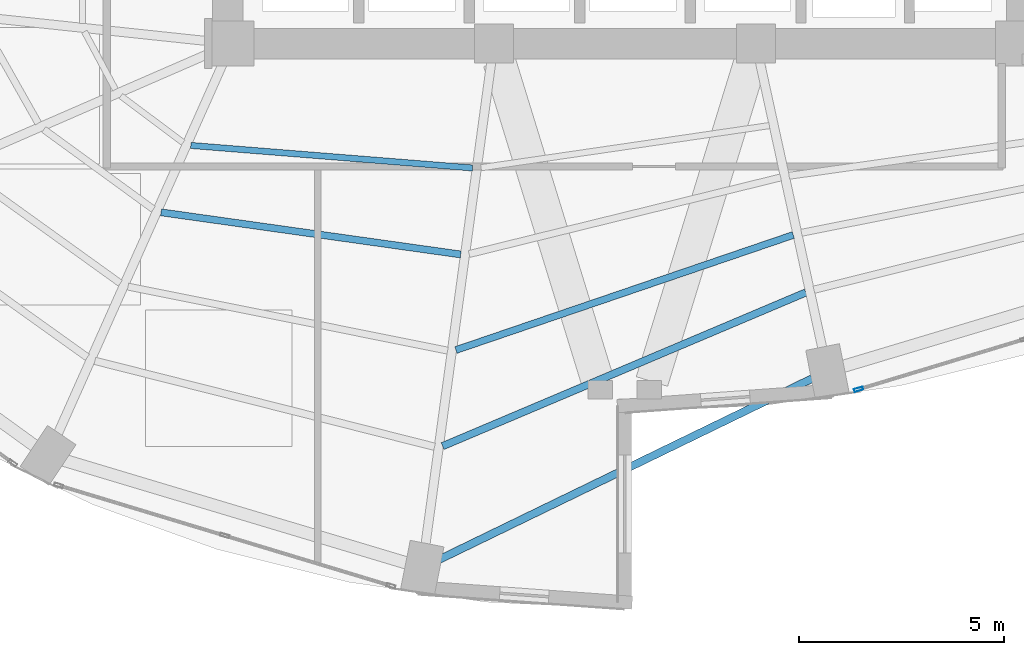
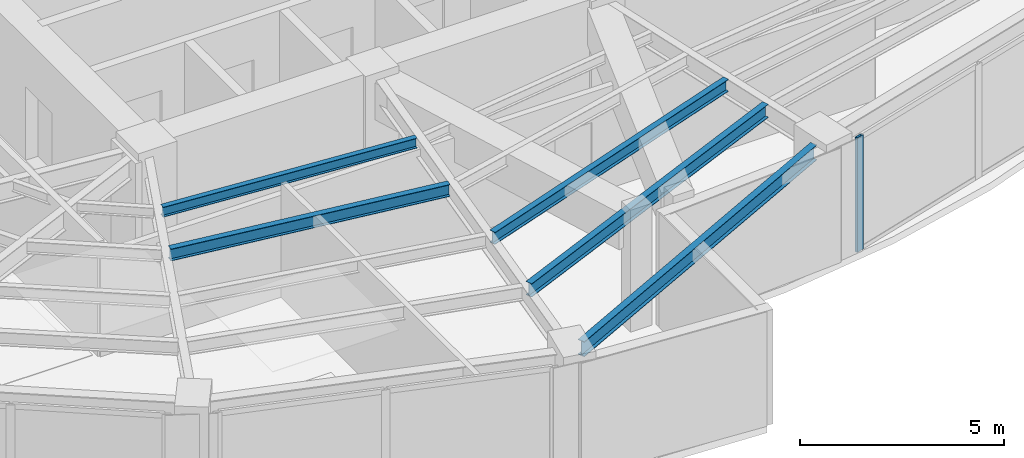
# One storey, part 6 of 23: 5 beams, 1 member, 1 element without a shape of its own.
"""IFC4 building model written with IfcOpenShell, lengths in metres."""

from ifc_helpers import new_model, si_unit, direction, frame, origin, origin_2d, place, context, subcontext, project, spatial, hollow_rectangle, i_section, extrude, material, layer, layer_set, material_profile, profile_set, type_object, element, aggregate, save


model = new_model("IFC4")

# Units and contexts
model_context = context("Model", 3, precision=1e-05, world=origin(), true_north=direction((0.0, 1.0)))
body_context = subcontext(model_context, "Body", "Model", "MODEL_VIEW")
ifc_project = project(units=[si_unit("LENGTHUNIT", "METRE"), si_unit("AREAUNIT", "SQUARE_METRE"), si_unit("VOLUMEUNIT", "CUBIC_METRE"), si_unit("PLANEANGLEUNIT", "RADIAN"), si_unit("MASSUNIT", "GRAM", prefix="KILO")], contexts=[model_context])

# Site, building, storey
site_placement = place(None, origin())
site = spatial("IfcSite", under=ifc_project, at=site_placement, CompositionType="ELEMENT")
building_placement = place(site_placement, origin())
building = spatial("IfcBuilding", under=site, at=building_placement, Name="Lazwardi Medical Tower", CompositionType="ELEMENT")
storey_placement = place(building_placement, frame((0.0, 0.0, 121.8720703125)))
storey = spatial("IfcBuildingStorey", under=building, at=storey_placement, Name="L31", CompositionType="ELEMENT", Elevation=121.8720703125)

# Beams
ifc_material_1 = material(Name="Steel S355", Category="steel")
ifc_material_profile_1 = material_profile(ifc_material_1, i_section(OverallWidth=0.179931640625, OverallDepth=0.39990234375, WebThickness=0.008544921875, FlangeThickness=0.013427734375, at=origin_2d()), Name="IPE 400")
ifc_profile_set_1 = profile_set([ifc_material_profile_1], Name="Steel S355")
beam_type_1 = type_object("IfcBeamType", Name="BM-SJ-01", PredefinedType="JOIST", material=ifc_profile_set_1)
beam_1_placement = place(storey_placement, frame((31.550537109375, 10.571533203125, 3.22802734375), z_axis=(0.920947307957, 0.389687125739, 0.0), x_axis=(-0.389687125739, 0.920947307957, 0.0)))
element("IfcBeam", 1, at=beam_1_placement, inside=storey, type_object=beam_type_1, Name="Secondary joist SJ-01 R1 B16 L31", PredefinedType="JOIST", context=body_context, shape_type="SweptSolid", body=[
    extrude(i_section(OverallWidth=0.179931640625, OverallDepth=0.39990234375, WebThickness=0.008544921875, FlangeThickness=0.013427734375, at=origin_2d()), origin(), (0.0, 0.0, 1.0), 9.63134765625),
])
ifc_material_profile_2 = material_profile(ifc_material_1, i_section(OverallWidth=0.169921875, OverallDepth=0.360107421875, WebThickness=0.008056640625, FlangeThickness=0.0126953125, at=origin_2d()), Name="IPE 360")
ifc_profile_set_2 = profile_set([ifc_material_profile_2], Name="Steel S355")
beam_type_2 = type_object("IfcBeamType", Name="BM-SJ-02", PredefinedType="JOIST", material=ifc_profile_set_2)
beam_2_placement = place(storey_placement, frame((31.874267578125, 12.91796875, 3.248046875), z_axis=(0.946467154368, 0.322800132749, 0.0), x_axis=(-0.322800132749, 0.946467154368, 0.0)))
element("IfcBeam", 2, at=beam_2_placement, inside=storey, type_object=beam_type_2, Name="Secondary joist SJ-02 R2 B16 L31", PredefinedType="JOIST", context=body_context, shape_type="SweptSolid", body=[
    extrude(i_section(OverallWidth=0.169921875, OverallDepth=0.360107421875, WebThickness=0.008056640625, FlangeThickness=0.0126953125, at=origin_2d()), origin(), (0.0, 0.0, 1.0), 8.70458984375),
])
beam_3_placement = place(storey_placement, frame((24.67431640625, 16.281005859375, 3.248046875), z_axis=(0.990260920731, -0.139223952222, 0.0), x_axis=(0.139223952222, 0.990260920731, 0.0)))
element("IfcBeam", 3, at=beam_3_placement, inside=storey, type_object=beam_type_2, Name="Secondary joist SJ-02 R3 B15 L31", PredefinedType="JOIST", context=body_context, shape_type="SweptSolid", body=[
    extrude(i_section(OverallWidth=0.169921875, OverallDepth=0.360107421875, WebThickness=0.008056640625, FlangeThickness=0.0126953125, at=origin_2d()), origin(), (0.0, 0.0, 1.0), 7.3896484375),
])
ifc_material_profile_3 = material_profile(ifc_material_1, i_section(OverallWidth=0.14990234375, OverallDepth=0.300048828125, WebThickness=0.007080078125, FlangeThickness=0.0107421875, at=origin_2d()), Name="IPE 300")
ifc_profile_set_3 = profile_set([ifc_material_profile_3], Name="Steel S355")
beam_type_3 = type_object("IfcBeamType", Name="BM-SJ-03", PredefinedType="JOIST", material=ifc_profile_set_3)
beam_4_placement = place(storey_placement, frame((25.400390625, 17.914306640625, 3.27783203125), z_axis=(0.996816178299, -0.079733974445, 0.0), x_axis=(0.079733974445, 0.996816178299, 0.0)))
element("IfcBeam", 4, at=beam_4_placement, inside=storey, type_object=beam_type_3, Name="Secondary joist SJ-03 R4 B15 L31", PredefinedType="JOIST", context=body_context, shape_type="SweptSolid", body=[
    extrude(i_section(OverallWidth=0.14990234375, OverallDepth=0.300048828125, WebThickness=0.007080078125, FlangeThickness=0.0107421875, at=origin_2d()), origin(), (0.0, 0.0, 1.0), 6.901611328125),
])
ifc_material_profile_4 = material_profile(ifc_material_1, i_section(OverallWidth=0.18994140625, OverallDepth=0.449951171875, WebThickness=0.009521484375, FlangeThickness=0.0146484375, at=origin_2d()), Name="IPE 450")
ifc_profile_set_4 = profile_set([ifc_material_profile_4], Name="Steel S355")
beam_type_4 = type_object("IfcBeamType", Name="BM-SP-01", PredefinedType="SPANDREL", material=ifc_profile_set_4)
beam_5_placement = place(storey_placement, frame((31.42333984375, 7.781494140625, 3.202880859375), z_axis=(0.899653336227, 0.436604941125, 0.0), x_axis=(-0.436604941125, 0.899653336227, 0.0)))
element("IfcBeam", 5, at=beam_5_placement, inside=storey, type_object=beam_type_4, Name="Spandrel beam SP-01 B16 L31", PredefinedType="SPANDREL", context=body_context, shape_type="SweptSolid", body=[
    extrude(i_section(OverallWidth=0.18994140625, OverallDepth=0.449951171875, WebThickness=0.009521484375, FlangeThickness=0.0146484375, at=origin_2d()), origin(), (0.0, 0.0, 1.0), 10.17431640625),
])

# Curtain wall, member
ifc_material_2 = material(Name="Anodised bronze aluminium and solar control glazing", Category="aluminium")
ifc_layer = layer(ifc_material_2, 0.195068359375)
ifc_layer_set = layer_set([ifc_layer], Name="Anodised bronze aluminium and solar control glazing")
curtain_wall_type = type_object("IfcCurtainWallType", Name="CW-SYS-03", PredefinedType="NOTDEFINED", material=ifc_layer_set)
curtain_wall_placement = place(storey_placement, origin())
curtain_wall = element("IfcCurtainWall", 6, at=curtain_wall_placement, inside=storey, type_object=curtain_wall_type, Name="L31 Unitised bronze curtain wall CW-03", PredefinedType="NOTDEFINED")
ifc_material_3 = material(Name="Anodised bronze aluminium", Category="aluminium")
ifc_material_profile_5 = material_profile(ifc_material_3, hollow_rectangle(XDim=0.074951171875, YDim=0.219970703125, WallThickness=0.00390625, at=origin_2d()), Name="ALU-MULLION 220x75x4")
ifc_profile_set_5 = profile_set([ifc_material_profile_5], Name="Anodised bronze aluminium")
member_type = type_object("IfcMemberType", Name="CW-MUL-01", PredefinedType="MULLION", material=ifc_profile_set_5)
member_placement = place(storey_placement, frame((41.710205078125, 11.9599609375, 0.0), z_axis=(0.0, 0.0, 1.0), x_axis=(-0.28937381157, 0.957216170558, 0.0)))
member = element("IfcMember", 7, at=member_placement, type_object=member_type, Name="CW-03 mullion 1", PredefinedType="MULLION", context=body_context, shape_type="SweptSolid", body=[
    extrude(hollow_rectangle(XDim=0.074951171875, YDim=0.219970703125, WallThickness=0.00390625, at=origin_2d()), origin(), (0.0, 0.0, 1.0), 3.427978515625),
])
aggregate(curtain_wall, [member])

save(model, "model.ifc")
